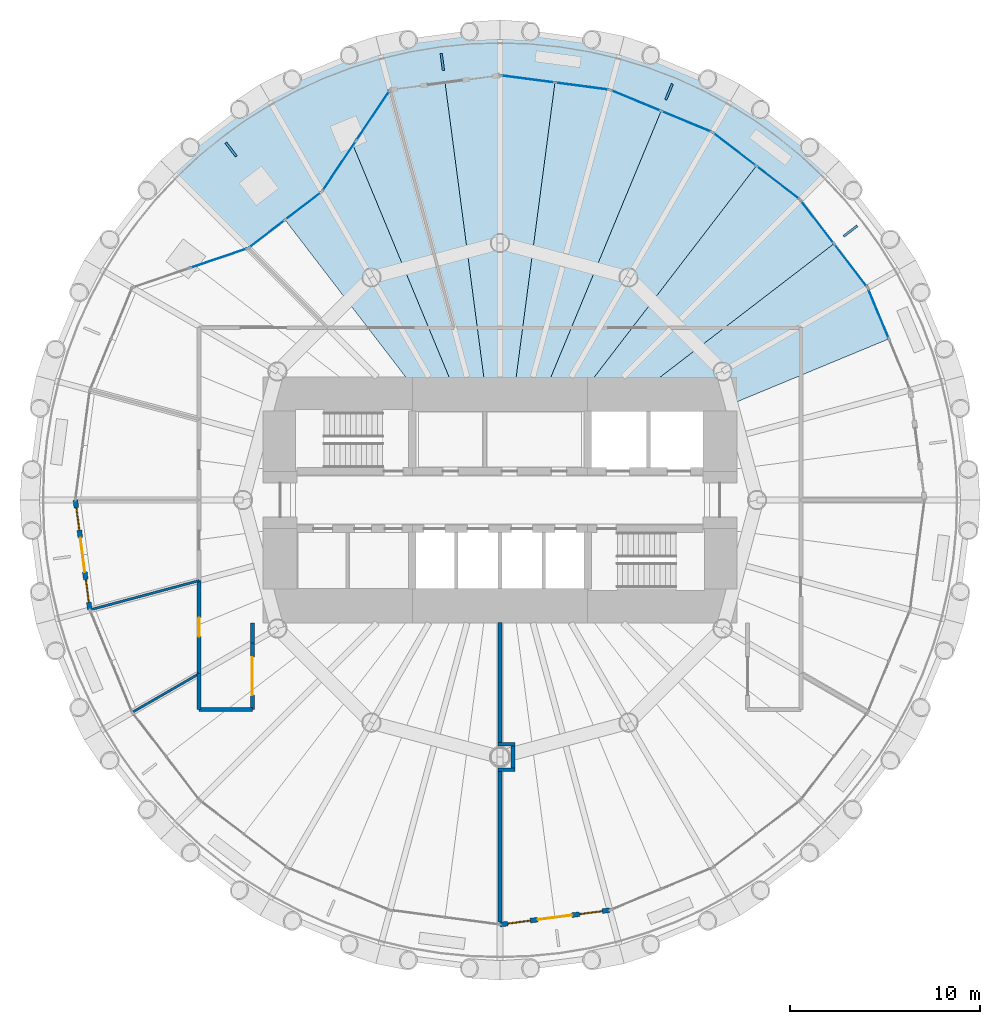
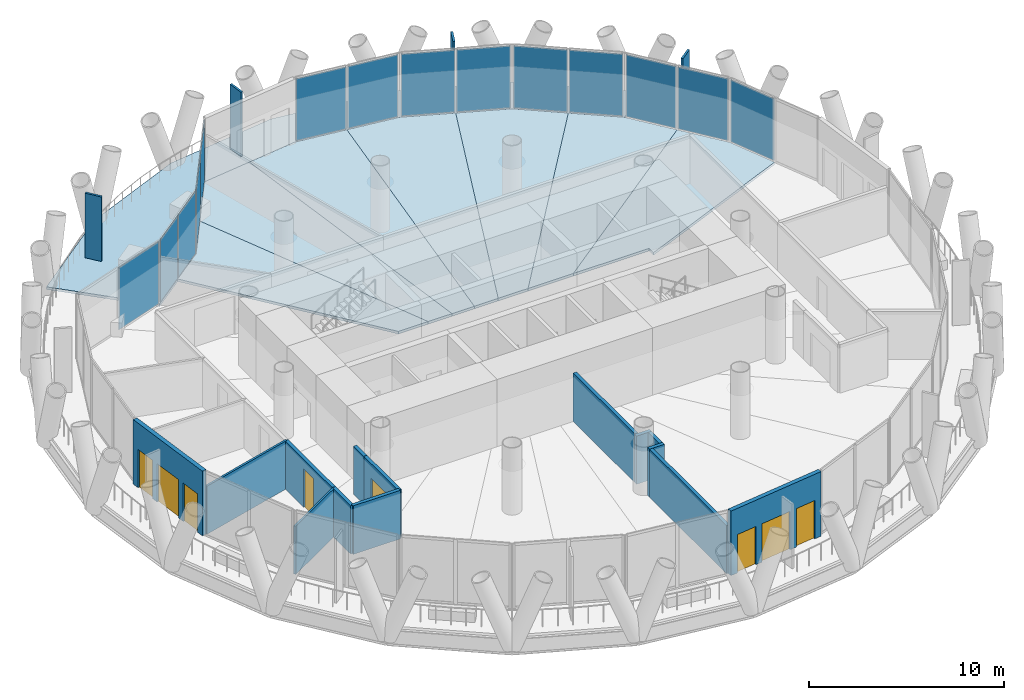
# One storey, part 8 of 14: 18 plates, 14 walls, 8 slabs, 4 doors, 4 windows, 8 openings, 8 elements without a shape of their own.
"""IFC4 building model written with IfcOpenShell, lengths in metres."""

from ifc_helpers import new_model, si_unit, direction, frame, frame_2d, origin, origin_2d, place, context, subcontext, project, spatial, polyline, rectangle, outline, extrude, material, layer, layer_set, type_object, element, fill, aggregate, save


model = new_model("IFC4")

# Units and contexts
model_context = context("Model", 3, precision=1e-05, world=origin(), true_north=direction((0.0, 1.0)))
body_context = subcontext(model_context, "Body", "Model", "MODEL_VIEW")
ifc_project = project(units=[si_unit("LENGTHUNIT", "METRE"), si_unit("AREAUNIT", "SQUARE_METRE"), si_unit("VOLUMEUNIT", "CUBIC_METRE"), si_unit("PLANEANGLEUNIT", "RADIAN"), si_unit("MASSUNIT", "GRAM", prefix="KILO")], contexts=[model_context])

# Site, building, storey
site_placement = place(None, origin())
site = spatial("IfcSite", under=ifc_project, at=site_placement, CompositionType="ELEMENT")
building_placement = place(site_placement, origin())
building = spatial("IfcBuilding", under=site, at=building_placement, Name="Qaws Media Tower", CompositionType="ELEMENT")
storey_placement = place(building_placement, frame((0.0, 0.0, 160.39990234375)))
storey = spatial("IfcBuildingStorey", under=building, at=storey_placement, Name="L36", CompositionType="ELEMENT", Elevation=160.39990234375)

# Slabs
ifc_material_1 = material(Name="Concrete C35/45", Category="concrete")
ifc_layer_1 = layer(ifc_material_1, 0.159912109375)
ifc_layer_set_1 = layer_set([ifc_layer_1], Name="Composite balcony slab 160")
slab_type_1 = type_object("IfcSlabType", Name="Composite balcony slab 160", PredefinedType="FLOOR", material=ifc_layer_set_1)
slab_1_placement = place(storey_placement, frame((0.0, 0.0, -0.159912109375)))
element("IfcSlab", 1, at=slab_1_placement, inside=storey, type_object=slab_type_1, Name="S2 balcony slab L36 R04 to R10, movement joints on R04 and R10", PredefinedType="FLOOR", context=body_context, shape_type="SweptSolid", body=[
    extrude(outline(polyline([(47.64990234375, 71.390869140625), (53.607177734375, 73.8583984375), (60.0, 74.699951171875), (66.392822265625, 73.8583984375), (72.35009765625, 71.390869140625), (77.465576171875, 67.465576171875), (75.7685546875, 65.7685546875), (71.14990234375, 69.3125), (65.771728515625, 71.5400390625), (60.0, 72.300048828125), (54.228271484375, 71.5400390625), (50.64990234375, 66.194580078125), (46.777099609375, 63.222900390625), (42.534423828125, 67.465576171875), (47.64990234375, 71.390869140625)])), origin(), (0.0, 0.0, 1.0), 0.159912109375),
])
ifc_material_2 = material(Name="Concrete C35/45", Category="concrete")
ifc_layer_2 = layer(ifc_material_2, 0.159912109375)
ifc_layer_set_2 = layer_set([ifc_layer_2], Name="Composite floor slab 160")
slab_type_2 = type_object("IfcSlabType", Name="Composite floor slab 160", PredefinedType="FLOOR", material=ifc_layer_set_2)
slab_2_placement = place(storey_placement, frame((0.0, 0.0, -0.159912109375)))
element("IfcSlab", 2, at=slab_2_placement, inside=storey, type_object=slab_type_2, Name="S1 floor panel L36 on R03", PredefinedType="FLOOR", context=body_context, shape_type="SweptSolid", body=[
    extrude(outline(polyline([(79.3125, 61.14990234375), (80.42626953125, 58.460693359375), (71.0, 54.556396484375), (71.0, 55.0), (66.51611328125, 55.0), (77.540283203125, 63.459228515625), (79.3125, 61.14990234375)])), origin(), (0.0, 0.0, 1.0), 0.159912109375),
])
slab_3_placement = place(storey_placement, frame((0.0, 0.0, -0.159912109375)))
element("IfcSlab", 3, at=slab_3_placement, inside=storey, type_object=slab_type_2, Name="S1 floor panel L36 on R04", PredefinedType="FLOOR", context=body_context, shape_type="SweptSolid", body=[
    extrude(outline(polyline([(75.7685546875, 65.7685546875), (77.540283203125, 63.459228515625), (66.51611328125, 55.0), (63.836669921875, 55.0), (73.459228515625, 67.540283203125), (75.7685546875, 65.7685546875)])), origin(), (0.0, 0.0, 1.0), 0.159912109375),
])
slab_4_placement = place(storey_placement, frame((0.0, 0.0, -0.159912109375)))
element("IfcSlab", 4, at=slab_4_placement, inside=storey, type_object=slab_type_2, Name="S1 floor panel L36 on R05", PredefinedType="FLOOR", context=body_context, shape_type="SweptSolid", body=[
    extrude(outline(polyline([(71.14990234375, 69.3125), (73.459228515625, 67.540283203125), (63.836669921875, 55.0), (62.071044921875, 55.0), (68.460693359375, 70.42626953125), (71.14990234375, 69.3125)])), origin(), (0.0, 0.0, 1.0), 0.159912109375),
])
slab_5_placement = place(storey_placement, frame((0.0, 0.0, -0.159912109375)))
element("IfcSlab", 5, at=slab_5_placement, inside=storey, type_object=slab_type_2, Name="S1 floor panel L36 on R06", PredefinedType="FLOOR", context=body_context, shape_type="SweptSolid", body=[
    extrude(outline(polyline([(65.771728515625, 71.5400390625), (68.460693359375, 70.42626953125), (62.071044921875, 55.0), (60.658203125, 55.0), (62.8857421875, 71.920166015625), (65.771728515625, 71.5400390625)])), origin(), (0.0, 0.0, 1.0), 0.159912109375),
])
slab_6_placement = place(storey_placement, frame((0.0, 0.0, -0.159912109375)))
element("IfcSlab", 6, at=slab_6_placement, inside=storey, type_object=slab_type_2, Name="S1 floor panel L36 on R07", PredefinedType="FLOOR", context=body_context, shape_type="SweptSolid", body=[
    extrude(outline(polyline([(60.0, 72.300048828125), (62.8857421875, 71.920166015625), (60.658203125, 55.0), (59.341796875, 55.0), (57.1142578125, 71.920166015625), (60.0, 72.300048828125)])), origin(), (0.0, 0.0, 1.0), 0.159912109375),
])
slab_7_placement = place(storey_placement, frame((0.0, 0.0, -0.159912109375)))
element("IfcSlab", 7, at=slab_7_placement, inside=storey, type_object=slab_type_2, Name="S1 floor panel L36 on R08", PredefinedType="FLOOR", context=body_context, shape_type="SweptSolid", body=[
    extrude(outline(polyline([(54.228271484375, 71.5400390625), (57.1142578125, 71.920166015625), (59.341796875, 55.0), (57.928955078125, 55.0), (52.281982421875, 68.6328125), (54.228271484375, 71.5400390625)])), origin(), (0.0, 0.0, 1.0), 0.159912109375),
])
slab_8_placement = place(storey_placement, frame((0.0, 0.0, -0.159912109375)))
element("IfcSlab", 8, at=slab_8_placement, inside=storey, type_object=slab_type_2, Name="S1 floor panel L36 on R09", PredefinedType="FLOOR", context=body_context, shape_type="SweptSolid", body=[
    extrude(outline(polyline([(50.64990234375, 66.194580078125), (52.281982421875, 68.6328125), (57.928955078125, 55.0), (56.163330078125, 55.0), (48.713623046875, 64.708740234375), (50.64990234375, 66.194580078125)])), origin(), (0.0, 0.0, 1.0), 0.159912109375),
])

# Curtain wall, plate
ifc_material_3 = material(Name="Aluminium and clear glass", Category="aluminium")
curtain_wall_type_1 = type_object("IfcCurtainWallType", Name="Unitised curtain wall CW-B", PredefinedType="NOTDEFINED", material=ifc_material_3)
curtain_wall_1_placement = place(storey_placement, origin())
curtain_wall_1 = element("IfcCurtainWall", 9, at=curtain_wall_1_placement, inside=storey, type_object=curtain_wall_type_1, Name="CWB curtain wall L36-02", PredefinedType="NOTDEFINED")
ifc_material_4 = material(Name="Clear laminated double glazing", Category="glass")
ifc_layer_3 = layer(ifc_material_4, 0.031982421875)
ifc_layer_set_3 = layer_set([ifc_layer_3], Name="Curtain wall glass unit 32")
plate_type_1 = type_object("IfcPlateType", Name="Curtain wall glass unit 32", PredefinedType="CURTAIN_PANEL", material=ifc_layer_set_3)
plate_1_placement = place(storey_placement, frame((79.876953125, 59.786865234375, 0.080078125), z_axis=(0.0, 0.0, 1.0), x_axis=(-0.382683388377, 0.923879550732, 0.0)))
plate_1 = element("IfcPlate", 10, at=plate_1_placement, type_object=plate_type_1, Name="CWB panel 2.1", PredefinedType="CURTAIN_PANEL", context=body_context, shape_type="SweptSolid", body=[
    extrude(rectangle(XDim=2.790771484375, YDim=0.031982421875, at=origin_2d()), origin(), (0.0, 0.0, 1.0), 3.8798828125),
])
aggregate(curtain_wall_1, [plate_1])

# Curtain wall, plates
curtain_wall_2_placement = place(storey_placement, origin())
curtain_wall_2 = element("IfcCurtainWall", 11, at=curtain_wall_2_placement, inside=storey, type_object=curtain_wall_type_1, Name="CWB curtain wall L36-03", PredefinedType="NOTDEFINED")
plate_2_placement = place(storey_placement, frame((78.414306640625, 62.320556640625, 0.080078125), z_axis=(0.0, 0.0, 1.0), x_axis=(-0.608761524717, 0.793353266852, 0.0)))
plate_2 = element("IfcPlate", 12, at=plate_2_placement, type_object=plate_type_1, Name="CWB panel 1.1", PredefinedType="CURTAIN_PANEL", context=body_context, shape_type="SweptSolid", body=[
    extrude(rectangle(XDim=2.790771484375, YDim=0.031982421875, at=origin_2d()), origin(), (0.0, 0.0, 1.0), 3.8798828125),
])
plate_3_placement = place(storey_placement, frame((76.666748046875, 64.597900390625, 0.080078125), z_axis=(0.0, 0.0, 1.0), x_axis=(-0.608761524717, 0.793353266852, 0.0)))
plate_3 = element("IfcPlate", 13, at=plate_3_placement, type_object=plate_type_1, Name="CWB panel 2.1", PredefinedType="CURTAIN_PANEL", context=body_context, shape_type="SweptSolid", body=[
    extrude(rectangle(XDim=2.790771484375, YDim=0.031982421875, at=origin_2d()), origin(), (0.0, 0.0, 1.0), 3.8798828125),
])
aggregate(curtain_wall_2, [plate_2, plate_3])

curtain_wall_3_placement = place(storey_placement, origin())
curtain_wall_3 = element("IfcCurtainWall", 14, at=curtain_wall_3_placement, inside=storey, type_object=curtain_wall_type_1, Name="CWB curtain wall L36-04", PredefinedType="NOTDEFINED")
plate_4_placement = place(storey_placement, frame((74.597900390625, 66.666748046875, 0.080078125), z_axis=(0.0, 0.0, 1.0), x_axis=(-0.793353266852, 0.608761524717, 0.0)))
plate_4 = element("IfcPlate", 15, at=plate_4_placement, type_object=plate_type_1, Name="CWB panel 1.1", PredefinedType="CURTAIN_PANEL", context=body_context, shape_type="SweptSolid", body=[
    extrude(rectangle(XDim=2.790771484375, YDim=0.031982421875, at=origin_2d()), origin(), (0.0, 0.0, 1.0), 3.8798828125),
])
plate_5_placement = place(storey_placement, frame((72.320556640625, 68.414306640625, 0.080078125), z_axis=(0.0, 0.0, 1.0), x_axis=(-0.793353266852, 0.608761524717, 0.0)))
plate_5 = element("IfcPlate", 16, at=plate_5_placement, type_object=plate_type_1, Name="CWB panel 2.1", PredefinedType="CURTAIN_PANEL", context=body_context, shape_type="SweptSolid", body=[
    extrude(rectangle(XDim=2.790771484375, YDim=0.031982421875, at=origin_2d()), origin(), (0.0, 0.0, 1.0), 3.8798828125),
])
aggregate(curtain_wall_3, [plate_4, plate_5])

curtain_wall_4_placement = place(storey_placement, origin())
curtain_wall_4 = element("IfcCurtainWall", 17, at=curtain_wall_4_placement, inside=storey, type_object=curtain_wall_type_1, Name="CWB curtain wall L36-05", PredefinedType="NOTDEFINED")
plate_6_placement = place(storey_placement, frame((69.786865234375, 69.876953125, 0.080078125), z_axis=(0.0, 0.0, 1.0), x_axis=(-0.923879550732, 0.382683388377, 0.0)))
plate_6 = element("IfcPlate", 18, at=plate_6_placement, type_object=plate_type_1, Name="CWB panel 1.1", PredefinedType="CURTAIN_PANEL", context=body_context, shape_type="SweptSolid", body=[
    extrude(rectangle(XDim=2.790771484375, YDim=0.031982421875, at=origin_2d()), origin(), (0.0, 0.0, 1.0), 3.8798828125),
])
plate_7_placement = place(storey_placement, frame((67.134765625, 70.9755859375, 0.080078125), z_axis=(0.0, 0.0, 1.0), x_axis=(-0.923879550732, 0.382683388377, 0.0)))
plate_7 = element("IfcPlate", 19, at=plate_7_placement, type_object=plate_type_1, Name="CWB panel 2.1", PredefinedType="CURTAIN_PANEL", context=body_context, shape_type="SweptSolid", body=[
    extrude(rectangle(XDim=2.790771484375, YDim=0.031982421875, at=origin_2d()), origin(), (0.0, 0.0, 1.0), 3.8798828125),
])
aggregate(curtain_wall_4, [plate_6, plate_7])

curtain_wall_5_placement = place(storey_placement, origin())
curtain_wall_5 = element("IfcCurtainWall", 20, at=curtain_wall_5_placement, inside=storey, type_object=curtain_wall_type_1, Name="CWB curtain wall L36-06", PredefinedType="NOTDEFINED")
plate_8_placement = place(storey_placement, frame((64.308837890625, 71.732666015625, 0.080078125), z_axis=(0.0, 0.0, 1.0), x_axis=(-0.991444863875, 0.13052617322, 0.0)))
plate_8 = element("IfcPlate", 21, at=plate_8_placement, type_object=plate_type_1, Name="CWB panel 1.1", PredefinedType="CURTAIN_PANEL", context=body_context, shape_type="SweptSolid", body=[
    extrude(rectangle(XDim=2.790771484375, YDim=0.031982421875, at=origin_2d()), origin(), (0.0, 0.0, 1.0), 3.8798828125),
])
plate_9_placement = place(storey_placement, frame((61.462646484375, 72.107421875, 0.080078125), z_axis=(0.0, 0.0, 1.0), x_axis=(-0.991444863875, 0.13052617322, 0.0)))
plate_9 = element("IfcPlate", 22, at=plate_9_placement, type_object=plate_type_1, Name="CWB panel 2.1", PredefinedType="CURTAIN_PANEL", context=body_context, shape_type="SweptSolid", body=[
    extrude(rectangle(XDim=2.790771484375, YDim=0.031982421875, at=origin_2d()), origin(), (0.0, 0.0, 1.0), 3.8798828125),
])
aggregate(curtain_wall_5, [plate_8, plate_9])

ifc_material_5 = material(Name="Aluminium and clear glass", Category="aluminium")
curtain_wall_type_2 = type_object("IfcCurtainWallType", Name="Loggia curtain wall CW-G", PredefinedType="NOTDEFINED", material=ifc_material_5)
curtain_wall_6_placement = place(storey_placement, origin())
curtain_wall_6 = element("IfcCurtainWall", 23, at=curtain_wall_6_placement, inside=storey, type_object=curtain_wall_type_2, Name="CWG curtain wall L36-08", PredefinedType="NOTDEFINED")
plate_10_placement = place(storey_placement, frame((53.322509765625, 70.187255859375, 0.080078125), z_axis=(0.0, 0.0, 1.0), x_axis=(-0.55627994948, -0.830994956547, 0.0)))
plate_10 = element("IfcPlate", 24, at=plate_10_placement, type_object=plate_type_1, Name="CWG panel 1.1", PredefinedType="CURTAIN_PANEL", context=body_context, shape_type="SweptSolid", body=[
    extrude(rectangle(XDim=3.09619140625, YDim=0.031982421875, at=origin_2d()), origin(), (0.0, 0.0, 1.0), 3.8798828125),
])
plate_11_placement = place(storey_placement, frame((51.5556640625, 67.547607421875, 0.080078125), z_axis=(0.0, 0.0, 1.0), x_axis=(-0.55627994948, -0.830994956547, 0.0)))
plate_11 = element("IfcPlate", 25, at=plate_11_placement, type_object=plate_type_1, Name="CWG panel 2.1", PredefinedType="CURTAIN_PANEL", context=body_context, shape_type="SweptSolid", body=[
    extrude(rectangle(XDim=3.09619140625, YDim=0.031982421875, at=origin_2d()), origin(), (0.0, 0.0, 1.0), 3.8798828125),
])
aggregate(curtain_wall_6, [plate_10, plate_11])

curtain_wall_7_placement = place(storey_placement, origin())
curtain_wall_7 = element("IfcCurtainWall", 26, at=curtain_wall_7_placement, inside=storey, type_object=curtain_wall_type_2, Name="CWG curtain wall L36-09", PredefinedType="NOTDEFINED")
plate_12_placement = place(storey_placement, frame((49.666015625, 65.439453125, 0.080078125), z_axis=(0.0, 0.0, 1.0), x_axis=(-0.793353378849, -0.608761378759, 0.0)))
plate_12 = element("IfcPlate", 27, at=plate_12_placement, type_object=plate_type_1, Name="CWG panel 1.1", PredefinedType="CURTAIN_PANEL", context=body_context, shape_type="SweptSolid", body=[
    extrude(rectangle(XDim=2.32080078125, YDim=0.031982421875, at=origin_2d()), origin(), (0.0, 0.0, 1.0), 3.8798828125),
])
plate_13_placement = place(storey_placement, frame((47.76123046875, 63.97802734375, 0.080078125), z_axis=(0.0, 0.0, 1.0), x_axis=(-0.793353378849, -0.608761378759, 0.0)))
plate_13 = element("IfcPlate", 28, at=plate_13_placement, type_object=plate_type_1, Name="CWG panel 2.1", PredefinedType="CURTAIN_PANEL", context=body_context, shape_type="SweptSolid", body=[
    extrude(rectangle(XDim=2.32080078125, YDim=0.031982421875, at=origin_2d()), origin(), (0.0, 0.0, 1.0), 3.8798828125),
])
aggregate(curtain_wall_7, [plate_12, plate_13])

# Curtain wall, plate
curtain_wall_8_placement = place(storey_placement, origin())
curtain_wall_8 = element("IfcCurtainWall", 29, at=curtain_wall_8_placement, inside=storey, type_object=curtain_wall_type_2, Name="CWG curtain wall L36-10", PredefinedType="NOTDEFINED")
plate_14_placement = place(storey_placement, frame((45.23583984375, 62.6982421875, 0.080078125), z_axis=(0.0, 0.0, 1.0), x_axis=(-0.946655315469, -0.322247907199, 0.0)))
plate_14 = element("IfcPlate", 30, at=plate_14_placement, type_object=plate_type_1, Name="CWG panel 1.1", PredefinedType="CURTAIN_PANEL", context=body_context, shape_type="SweptSolid", body=[
    extrude(rectangle(XDim=3.09619140625, YDim=0.031982421875, at=origin_2d()), origin(), (0.0, 0.0, 1.0), 3.8798828125),
])
aggregate(curtain_wall_8, [plate_14])

# Plates
ifc_material_6 = material(Name="Precast concrete screen fin", Category="concrete")
ifc_layer_4 = layer(ifc_material_6, 0.1201171875)
ifc_layer_set_4 = layer_set([ifc_layer_4], Name="Screen fin 120x900")
plate_type_2 = type_object("IfcPlateType", Name="Screen fin 120x900", PredefinedType="USERDEFINED", material=ifc_layer_set_4)
for number, where, z_axis, x_axis, name in (
    (31, (78.40576171875, 64.123291015625, 0.0), (0.0, 0.0, 1.0), (0.793353340291, 0.608761429009, 0.0), "SCR1 screen fin L36-02"),
    (32, (68.878173828125, 71.43408203125, 0.0), (0.0, 0.0, 1.0), (0.382683432365, 0.923879532511, 0.0), "SCR1 screen fin L36-03"),
    (33, (56.9716796875, 73.00146484375, 0.0), (0.0, 0.0, 1.0), (-0.13052619222, 0.991444861374, 0.0), "SCR1 screen fin L36-04"),
    (34, (45.876708984375, 68.40576171875, 0.0), (0.0, 0.0, 1.0), (-0.608761429009, 0.793353340291, 0.0), "SCR1 screen fin L36-05"),
):
    element("IfcPlate", number, at=place(storey_placement, frame(where, z_axis=z_axis, x_axis=x_axis)), inside=storey, type_object=plate_type_2, Name=name, ObjectType="SCREEN", PredefinedType="USERDEFINED", context=body_context, shape_type="SweptSolid", body=[
        extrude(rectangle(XDim=0.89990234375, YDim=0.1201171875, at=origin_2d()), origin(), (0.0, 0.0, 1.0), 4.0400390625),
    ])

# Wall, openings, door, windows
ifc_material_7 = material(Name="Precast concrete, exposed finish", Category="concrete")
ifc_layer_5 = layer(ifc_material_7, 0.25)
ifc_layer_set_5 = layer_set([ifc_layer_5], Name="Balcony door wall 250")
wall_type_1 = type_object("IfcWallType", Name="Balcony door wall 250", PredefinedType="SOLIDWALL", material=ifc_layer_set_5)
wall_1_placement = place(storey_placement, frame((37.699951171875, 50.0, 0.0), z_axis=(0.0, 0.0, 1.0), x_axis=(0.130551062135, -0.99144158687, 0.0)))
wall_1 = element("IfcWall", 35, at=wall_1_placement, inside=storey, type_object=wall_type_1, Name="W129 EW1 balcony door wall L36-13", PredefinedType="SOLIDWALL", context=body_context, shape_type="SweptSolid", body=[
    extrude(rectangle(XDim=5.821533203125, YDim=0.25, at=frame_2d((2.91064453125, 0.0))), origin(), (0.0, 0.0, 1.0), 4.0400390625),
])
opening_1_placement = place(wall_1_placement, frame((2.0107421875, 0.0, 0.0)))
opening_1 = element("IfcOpeningElement", 36, at=opening_1_placement, cuts=wall_1, Name="Opening D7", PredefinedType="OPENING", context=body_context, shape_type="SweptSolid", body=[
    extrude(rectangle(XDim=1.800048828125, YDim=2.39990234375, at=frame_2d((0.89990234375, 1.199951171875))), frame((0.0, 0.135009765625, 0.0), z_axis=(0.0, -1.0, 0.0), x_axis=(1.0, 0.0, 0.0)), (0.0, 0.0, 1.0), 0.27001953125),
])
opening_2_placement = place(wall_1_placement, frame((0.41064453125, 0.0, 0.0)))
opening_2 = element("IfcOpeningElement", 37, at=opening_2_placement, cuts=wall_1, Name="Opening W1", PredefinedType="OPENING", context=body_context, shape_type="SweptSolid", body=[
    extrude(rectangle(XDim=1.199951171875, YDim=2.39990234375, at=frame_2d((0.60009765625, 1.199951171875))), frame((0.0, 0.135009765625, 0.0), z_axis=(0.0, -1.0, 0.0), x_axis=(1.0, 0.0, 0.0)), (0.0, 0.0, 1.0), 0.27001953125),
])
opening_3_placement = place(wall_1_placement, frame((4.210693359375, 0.0, 0.0)))
opening_3 = element("IfcOpeningElement", 38, at=opening_3_placement, cuts=wall_1, Name="Opening W1", PredefinedType="OPENING", context=body_context, shape_type="SweptSolid", body=[
    extrude(rectangle(XDim=1.199951171875, YDim=2.39990234375, at=frame_2d((0.60009765625, 1.199951171875))), frame((0.0, 0.135009765625, 0.0), z_axis=(0.0, -1.0, 0.0), x_axis=(1.0, 0.0, 0.0)), (0.0, 0.0, 1.0), 0.27001953125),
])
ifc_material_8 = material(Name="Aluminium and clear glass", Category="aluminium")
door_type_1 = type_object("IfcDoorType", Name="Balcony door pair 1800", OperationType="DOUBLE_DOOR_SLIDING", PredefinedType="DOOR", material=ifc_material_8)
door_1_placement = place(opening_1_placement, origin())
door_1 = element("IfcDoor", 39, at=door_1_placement, inside=storey, type_object=door_type_1, Name="D7 balcony door L36-13 in wall W129", OperationType="DOUBLE_DOOR_SLIDING", OverallHeight=2.39990234375, OverallWidth=1.800048828125, PredefinedType="DOOR", context=body_context, shape_type="SweptSolid", body=[
    extrude(rectangle(XDim=1.800048828125, YDim=2.39990234375, at=frame_2d((0.89990234375, 1.199951171875))), frame((0.0, 0.02490234375, 0.0), z_axis=(0.0, -1.0, 0.0), x_axis=(1.0, 0.0, 0.0)), (0.0, 0.0, 1.0), 0.050048828125),
])
fill(opening_1, door_1)
ifc_material_9 = material(Name="Aluminium and clear glass", Category="aluminium")
window_type = type_object("IfcWindowType", Name="Balcony side window 1200", PartitioningType="SINGLE_PANEL", PredefinedType="WINDOW", material=ifc_material_9)
window_1_placement = place(opening_2_placement, origin())
window_1 = element("IfcWindow", 40, at=window_1_placement, inside=storey, type_object=window_type, Name="W1 balcony side light L36-13L", OverallHeight=2.39990234375, OverallWidth=1.199951171875, PartitioningType="SINGLE_PANEL", PredefinedType="WINDOW", context=body_context, shape_type="SweptSolid", body=[
    extrude(rectangle(XDim=1.199951171875, YDim=2.39990234375, at=frame_2d((0.60009765625, 1.199951171875))), frame((0.0, 0.030029296875, 0.0), z_axis=(0.0, -1.0, 0.0), x_axis=(1.0, 0.0, 0.0)), (0.0, 0.0, 1.0), 0.06005859375),
])
fill(opening_2, window_1)
window_2_placement = place(opening_3_placement, origin())
window_2 = element("IfcWindow", 41, at=window_2_placement, inside=storey, type_object=window_type, Name="W1 balcony side light L36-13R", OverallHeight=2.39990234375, OverallWidth=1.199951171875, PartitioningType="SINGLE_PANEL", PredefinedType="WINDOW", context=body_context, shape_type="SweptSolid", body=[
    extrude(rectangle(XDim=1.199951171875, YDim=2.39990234375, at=frame_2d((0.60009765625, 1.199951171875))), frame((0.0, 0.030029296875, 0.0), z_axis=(0.0, -1.0, 0.0), x_axis=(1.0, 0.0, 0.0)), (0.0, 0.0, 1.0), 0.06005859375),
])
fill(opening_3, window_2)

wall_2_placement = place(storey_placement, frame((60.0, 27.699951171875, 0.0), z_axis=(0.0, 0.0, 1.0), x_axis=(0.99144158687, 0.130551062135, 0.0)))
wall_2 = element("IfcWall", 42, at=wall_2_placement, inside=storey, type_object=wall_type_1, Name="W130 EW1 balcony door wall L36-19", PredefinedType="SOLIDWALL", context=body_context, shape_type="SweptSolid", body=[
    extrude(rectangle(XDim=5.821533203125, YDim=0.25, at=frame_2d((2.91064453125, 0.0))), origin(), (0.0, 0.0, 1.0), 4.0400390625),
])
opening_4_placement = place(wall_2_placement, frame((2.0107421875, 0.0, 0.0)))
opening_4 = element("IfcOpeningElement", 43, at=opening_4_placement, cuts=wall_2, Name="Opening D7", PredefinedType="OPENING", context=body_context, shape_type="SweptSolid", body=[
    extrude(rectangle(XDim=1.800048828125, YDim=2.39990234375, at=frame_2d((0.89990234375, 1.199951171875))), frame((0.0, 0.135009765625, 0.0), z_axis=(0.0, -1.0, 0.0), x_axis=(1.0, 0.0, 0.0)), (0.0, 0.0, 1.0), 0.27001953125),
])
opening_5_placement = place(wall_2_placement, frame((0.41064453125, 0.0, 0.0)))
opening_5 = element("IfcOpeningElement", 44, at=opening_5_placement, cuts=wall_2, Name="Opening W1", PredefinedType="OPENING", context=body_context, shape_type="SweptSolid", body=[
    extrude(rectangle(XDim=1.199951171875, YDim=2.39990234375, at=frame_2d((0.60009765625, 1.199951171875))), frame((0.0, 0.135009765625, 0.0), z_axis=(0.0, -1.0, 0.0), x_axis=(1.0, 0.0, 0.0)), (0.0, 0.0, 1.0), 0.27001953125),
])
opening_6_placement = place(wall_2_placement, frame((4.210693359375, 0.0, 0.0)))
opening_6 = element("IfcOpeningElement", 45, at=opening_6_placement, cuts=wall_2, Name="Opening W1", PredefinedType="OPENING", context=body_context, shape_type="SweptSolid", body=[
    extrude(rectangle(XDim=1.199951171875, YDim=2.39990234375, at=frame_2d((0.60009765625, 1.199951171875))), frame((0.0, 0.135009765625, 0.0), z_axis=(0.0, -1.0, 0.0), x_axis=(1.0, 0.0, 0.0)), (0.0, 0.0, 1.0), 0.27001953125),
])
door_2_placement = place(opening_4_placement, origin())
door_2 = element("IfcDoor", 46, at=door_2_placement, inside=storey, type_object=door_type_1, Name="D7 balcony door L36-19 in wall W130", OperationType="DOUBLE_DOOR_SLIDING", OverallHeight=2.39990234375, OverallWidth=1.800048828125, PredefinedType="DOOR", context=body_context, shape_type="SweptSolid", body=[
    extrude(rectangle(XDim=1.800048828125, YDim=2.39990234375, at=frame_2d((0.89990234375, 1.199951171875))), frame((0.0, 0.02490234375, 0.0), z_axis=(0.0, -1.0, 0.0), x_axis=(1.0, 0.0, 0.0)), (0.0, 0.0, 1.0), 0.050048828125),
])
fill(opening_4, door_2)
window_3_placement = place(opening_5_placement, origin())
window_3 = element("IfcWindow", 47, at=window_3_placement, inside=storey, type_object=window_type, Name="W1 balcony side light L36-19L", OverallHeight=2.39990234375, OverallWidth=1.199951171875, PartitioningType="SINGLE_PANEL", PredefinedType="WINDOW", context=body_context, shape_type="SweptSolid", body=[
    extrude(rectangle(XDim=1.199951171875, YDim=2.39990234375, at=frame_2d((0.60009765625, 1.199951171875))), frame((0.0, 0.030029296875, 0.0), z_axis=(0.0, -1.0, 0.0), x_axis=(1.0, 0.0, 0.0)), (0.0, 0.0, 1.0), 0.06005859375),
])
fill(opening_5, window_3)
window_4_placement = place(opening_6_placement, origin())
window_4 = element("IfcWindow", 48, at=window_4_placement, inside=storey, type_object=window_type, Name="W1 balcony side light L36-19R", OverallHeight=2.39990234375, OverallWidth=1.199951171875, PartitioningType="SINGLE_PANEL", PredefinedType="WINDOW", context=body_context, shape_type="SweptSolid", body=[
    extrude(rectangle(XDim=1.199951171875, YDim=2.39990234375, at=frame_2d((0.60009765625, 1.199951171875))), frame((0.0, 0.030029296875, 0.0), z_axis=(0.0, -1.0, 0.0), x_axis=(1.0, 0.0, 0.0)), (0.0, 0.0, 1.0), 0.06005859375),
])
fill(opening_6, window_4)

# Walls
ifc_material_10 = material(Name="Two layers gypsum board each side on 75 studs, insulated", Category="gypsum")
ifc_layer_6 = layer(ifc_material_10, 0.125)
ifc_layer_set_6 = layer_set([ifc_layer_6], Name="Meeting room partition 125 Rw 48")
wall_type_2 = type_object("IfcWallType", Name="Meeting room partition 125 Rw 48", PredefinedType="PARTITIONING", material=ifc_layer_set_6)
wall_3_placement = place(storey_placement, frame((44.197509765625, 45.765625, 0.0), z_axis=(0.0, 0.0, 1.0), x_axis=(-0.965932457036, -0.258794297549, 0.0)))
element("IfcWall", 49, at=wall_3_placement, inside=storey, type_object=wall_type_2, Name="W566 IW5 partition L36", PredefinedType="PARTITIONING", context=body_context, shape_type="SweptSolid", body=[
    extrude(rectangle(XDim=5.7998046875, YDim=0.125, at=frame_2d((2.89990234375, 0.0))), origin(), (0.0, 0.0, 1.0), 3.01220703125),
])
wall_4_placement = place(storey_placement, frame((44.20361328125, 40.8798828125, 0.0), z_axis=(0.0, 0.0, 1.0), x_axis=(-0.866036909293, -0.499980071345, 0.0)))
element("IfcWall", 50, at=wall_4_placement, inside=storey, type_object=wall_type_2, Name="W569 IW5 partition L36", PredefinedType="PARTITIONING", context=body_context, shape_type="SweptSolid", body=[
    extrude(rectangle(XDim=4.019775390625, YDim=0.125, at=frame_2d((2.009765625, 0.0))), origin(), (0.0, 0.0, 1.0), 3.01220703125),
])
ifc_material_11 = material(Name="Gypsum board on galvanised metal studs, acoustic double stud, deflection head", Category="gypsum")
ifc_layer_7 = layer(ifc_material_11, 0.199951171875)
ifc_layer_set_7 = layer_set([ifc_layer_7], Name="Room partition 200")
wall_type_3 = type_object("IfcWallType", Name="Room partition 200", PredefinedType="PARTITIONING", material=ifc_layer_set_7)
wall_5_placement = place(storey_placement, frame((47.0, 43.550048828125, 0.0), z_axis=(0.0, 0.0, 1.0), x_axis=(0.0, -1.0, 0.0)))
element("IfcWall", 51, at=wall_5_placement, inside=storey, type_object=wall_type_3, Name="W1367 IW3 partition L36", PredefinedType="PARTITIONING", context=body_context, shape_type="SweptSolid", body=[
    extrude(rectangle(XDim=1.0556640625, YDim=0.199951171875, at=frame_2d((0.52783203125, 0.0))), origin(), (0.0, 0.0, 1.0), 3.01220703125),
])

# Wall, opening, door
wall_6_placement = place(storey_placement, frame((47.0, 42.494384765625, 0.0), z_axis=(0.0, 0.0, 1.0), x_axis=(0.0, -1.0, 0.0)))
wall_6 = element("IfcWall", 52, at=wall_6_placement, inside=storey, type_object=wall_type_3, Name="W1366 IW3 partition L36", PredefinedType="PARTITIONING", context=body_context, shape_type="SweptSolid", body=[
    extrude(rectangle(XDim=3.494384765625, YDim=0.199951171875, at=frame_2d((1.7470703125, 0.0))), origin(), (0.0, 0.0, 1.0), 3.01220703125),
])
opening_7_placement = place(wall_6_placement, frame((0.747314453125, 0.0, 0.0)))
opening_7 = element("IfcOpeningElement", 53, at=opening_7_placement, cuts=wall_6, Name="Opening D6", PredefinedType="OPENING", context=body_context, shape_type="SweptSolid", body=[
    extrude(rectangle(XDim=2.0, YDim=2.10009765625, at=frame_2d((1.0, 1.050048828125))), frame((0.0, 0.10986328125, 0.0), z_axis=(0.0, -1.0, 0.0), x_axis=(1.0, 0.0, 0.0)), (0.0, 0.0, 1.0), 0.219970703125),
])
ifc_material_12 = material(Name="Steel, acoustic, fire rated", Category="steel")
door_type_2 = type_object("IfcDoorType", Name="Room door pair 2000", OperationType="DOUBLE_DOOR_DOUBLE_SWING", PredefinedType="DOOR", material=ifc_material_12)
door_3_placement = place(opening_7_placement, origin())
door_3 = element("IfcDoor", 54, at=door_3_placement, inside=storey, type_object=door_type_2, Name="D6 HR office door L36 in wall W1366", OperationType="DOUBLE_DOOR_DOUBLE_SWING", OverallHeight=2.10009765625, OverallWidth=2.0, PredefinedType="DOOR", context=body_context, shape_type="SweptSolid", body=[
    extrude(rectangle(XDim=2.0, YDim=2.10009765625, at=frame_2d((1.0, 1.050048828125))), frame((0.0, 0.02490234375, 0.0), z_axis=(0.0, -1.0, 0.0), x_axis=(1.0, 0.0, 0.0)), (0.0, 0.0, 1.0), 0.050048828125),
])
fill(opening_7, door_3)

# Walls
wall_7_placement = place(storey_placement, frame((47.0, 39.0, 0.0), z_axis=(0.0, 0.0, 1.0), x_axis=(-1.0, 0.0, 0.0)))
element("IfcWall", 55, at=wall_7_placement, inside=storey, type_object=wall_type_3, Name="W1222 IW3 partition L36", PredefinedType="PARTITIONING", context=body_context, shape_type="SweptSolid", body=[
    extrude(rectangle(XDim=2.800048828125, YDim=0.199951171875, at=frame_2d((1.39990234375, 0.0))), origin(), (0.0, 0.0, 1.0), 3.0400390625),
])
wall_8_placement = place(storey_placement, frame((44.199951171875, 39.0, 0.0), z_axis=(0.0, 0.0, 1.0), x_axis=(0.0, 1.0, 0.0)))
element("IfcWall", 56, at=wall_8_placement, inside=storey, type_object=wall_type_3, Name="W1360 IW3 partition L36", PredefinedType="PARTITIONING", context=body_context, shape_type="SweptSolid", body=[
    extrude(rectangle(XDim=1.8779296875, YDim=0.199951171875, at=frame_2d((0.93896484375, 0.0))), origin(), (0.0, 0.0, 1.0), 3.01220703125),
])

# Wall, opening, door
wall_9_placement = place(storey_placement, frame((44.199951171875, 40.8779296875, 0.0), z_axis=(0.0, 0.0, 1.0), x_axis=(0.0, 1.0, 0.0)))
wall_9 = element("IfcWall", 57, at=wall_9_placement, inside=storey, type_object=wall_type_3, Name="W1361 IW3 partition L36", PredefinedType="PARTITIONING", context=body_context, shape_type="SweptSolid", body=[
    extrude(rectangle(XDim=4.888427734375, YDim=0.199951171875, at=frame_2d((2.4443359375, 0.0))), origin(), (0.0, 0.0, 1.0), 3.01220703125),
])
opening_8_placement = place(wall_9_placement, frame((1.9443359375, 0.0, 0.0)))
opening_8 = element("IfcOpeningElement", 58, at=opening_8_placement, cuts=wall_9, Name="Opening D13", PredefinedType="OPENING", context=body_context, shape_type="SweptSolid", body=[
    extrude(rectangle(XDim=1.0, YDim=2.39990234375, at=frame_2d((0.5, 1.199951171875))), frame((0.0, 0.10986328125, 0.0), z_axis=(0.0, -1.0, 0.0), x_axis=(1.0, 0.0, 0.0)), (0.0, 0.0, 1.0), 0.219970703125),
])
ifc_material_13 = material(Name="Frameless toughened glass, acoustic seals", Category="glass")
door_type_3 = type_object("IfcDoorType", Name="Glazed meeting room door 1000x2400", OperationType="SINGLE_SWING_LEFT", PredefinedType="DOOR", material=ifc_material_13)
door_4_placement = place(opening_8_placement, origin())
door_4 = element("IfcDoor", 59, at=door_4_placement, inside=storey, type_object=door_type_3, Name="D13 Interview room door L36 in wall W1361", OperationType="SINGLE_SWING_LEFT", OverallHeight=2.39990234375, OverallWidth=1.0, PredefinedType="DOOR", context=body_context, shape_type="SweptSolid", body=[
    extrude(rectangle(XDim=1.0, YDim=2.39990234375, at=frame_2d((0.5, 1.199951171875))), frame((0.0, 0.02490234375, 0.0), z_axis=(0.0, -1.0, 0.0), x_axis=(1.0, 0.0, 0.0)), (0.0, 0.0, 1.0), 0.050048828125),
])
fill(opening_8, door_4)

# Walls
for number, where, z_axis, x_axis, name in (
    (60, (59.89990234375, 37.16796875, 0.0), (0.0, 0.0, 1.0), (1.0, 0.0, 0.0), "W1345 IW3 partition return L36"),
    (61, (59.89990234375, 35.83203125, 0.0), (0.0, 0.0, 1.0), (1.0, 0.0, 0.0), "W1344 IW3 partition return L36"),
):
    element("IfcWall", number, at=place(storey_placement, frame(where, z_axis=z_axis, x_axis=x_axis)), inside=storey, type_object=wall_type_3, Name=name, PredefinedType="PARTITIONING", context=body_context, shape_type="SweptSolid", body=[
        extrude(rectangle(XDim=0.878173828125, YDim=0.199951171875, at=frame_2d((0.43896484375, 0.0))), origin(), (0.0, 0.0, 1.0), 3.01220703125),
    ])
wall_10_placement = place(storey_placement, frame((60.677978515625, 37.068115234375, 0.0), z_axis=(0.0, 0.0, 1.0), x_axis=(0.0, -1.0, 0.0)))
element("IfcWall", 62, at=wall_10_placement, inside=storey, type_object=wall_type_3, Name="W1350 IW3 partition return L36", PredefinedType="PARTITIONING", context=body_context, shape_type="SweptSolid", body=[
    extrude(rectangle(XDim=1.13623046875, YDim=0.199951171875, at=frame_2d((0.568115234375, 0.0))), origin(), (0.0, 0.0, 1.0), 3.01220703125),
])
wall_11_placement = place(storey_placement, frame((60.0, 43.56005859375, 0.0), z_axis=(0.0, 0.0, 1.0), x_axis=(0.0, -1.0, 0.0)))
element("IfcWall", 63, at=wall_11_placement, inside=storey, type_object=wall_type_3, Name="W1288 IW3 partition L36", PredefinedType="PARTITIONING", context=body_context, shape_type="SweptSolid", body=[
    extrude(rectangle(XDim=6.2919921875, YDim=0.199951171875, at=frame_2d((3.14599609375, 0.0))), origin(), (0.0, 0.0, 1.0), 3.0400390625),
])
wall_12_placement = place(storey_placement, frame((60.0, 35.73193359375, 0.0), z_axis=(0.0, 0.0, 1.0), x_axis=(0.0, -1.0, 0.0)))
element("IfcWall", 64, at=wall_12_placement, inside=storey, type_object=wall_type_3, Name="W1370 IW3 partition L36", PredefinedType="PARTITIONING", context=body_context, shape_type="SweptSolid", body=[
    extrude(rectangle(XDim=7.891845703125, YDim=0.199951171875, at=frame_2d((3.94580078125, 0.0))), origin(), (0.0, 0.0, 1.0), 3.01220703125),
])

save(model, "model.ifc")
